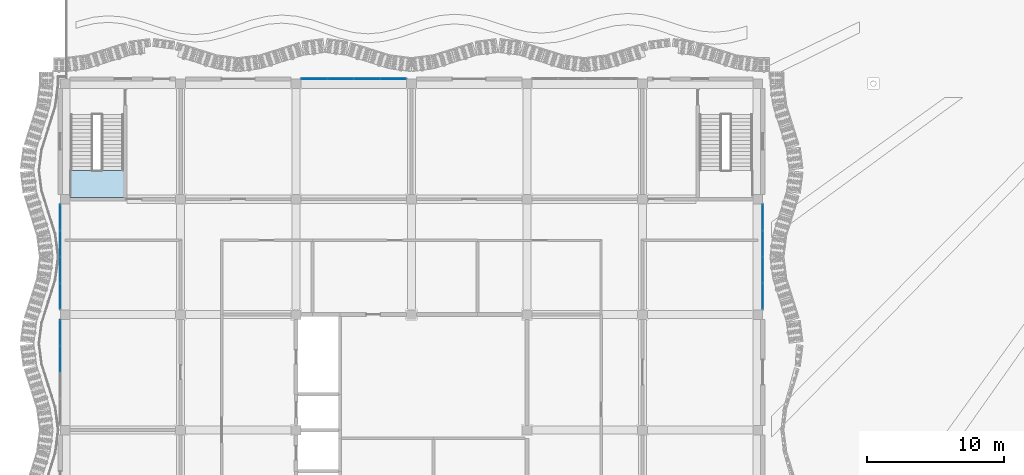
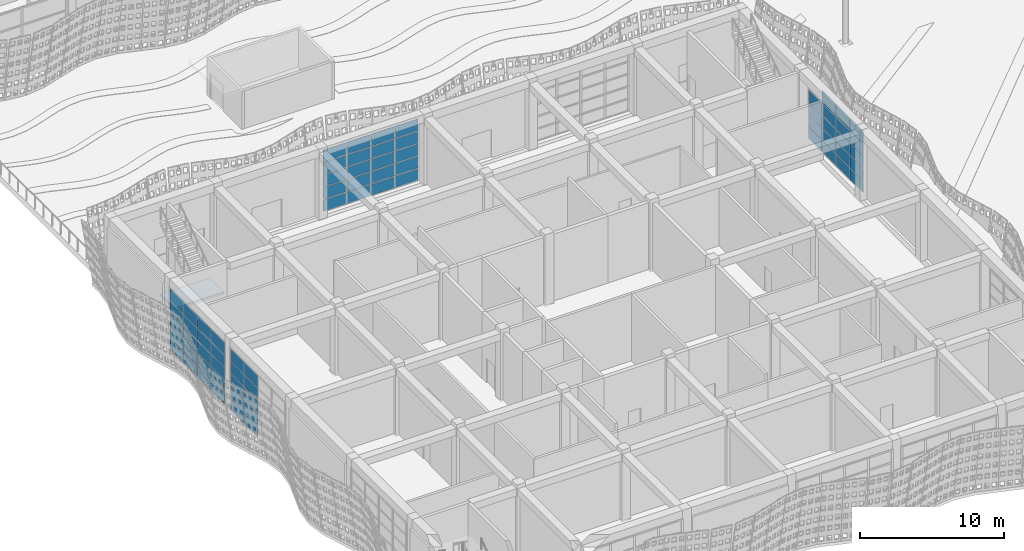
# One storey, part 79 of 210: 69 plates, 1 slab, 5 elements without a shape of their own.
"""IFC4 building model written with IfcOpenShell, lengths in metres."""

from ifc_helpers import new_model, si_unit, direction, frame, origin, origin_2d, place, context, subcontext, project, spatial, polyline, rectangle, outline, extrude, material, layer, layer_set, type_object, element, aggregate, save


model = new_model("IFC4")

# Units and contexts
model_context = context("Model", 3, precision=1e-05, world=origin(), true_north=direction((0.0, 1.0)))
body_context = subcontext(model_context, "Body", "Model", "MODEL_VIEW")
ifc_project = project(units=[si_unit("LENGTHUNIT", "METRE"), si_unit("AREAUNIT", "SQUARE_METRE"), si_unit("VOLUMEUNIT", "CUBIC_METRE"), si_unit("PLANEANGLEUNIT", "RADIAN"), si_unit("MASSUNIT", "GRAM", prefix="KILO")], contexts=[model_context])

# Site, building, storey
site_placement = place(None, origin())
site = spatial("IfcSite", under=ifc_project, at=site_placement, CompositionType="ELEMENT")
building_placement = place(site_placement, origin())
building = spatial("IfcBuilding", under=site, at=building_placement, Name="Rain Tree Exposition and Congress Centre", CompositionType="ELEMENT")
storey_placement = place(building_placement, origin())
storey = spatial("IfcBuildingStorey", under=building, at=storey_placement, Name="L00", CompositionType="ELEMENT", Elevation=0.0)

# Curtain wall, plates
ifc_material_1 = material(Name="Aluminium curtain wall", Category="aluminium")
curtain_wall_type = type_object("IfcCurtainWallType", Name="Wing curtain wall 1925", PredefinedType="NOTDEFINED", material=ifc_material_1)
curtain_wall_1_placement = place(storey_placement, origin())
curtain_wall_1 = element("IfcCurtainWall", 1, at=curtain_wall_1_placement, inside=storey, type_object=curtain_wall_type, Name="Curtain wall CWW104", PredefinedType="NOTDEFINED")
ifc_material_2 = material(Name="Double glazed unit", Category="glass")
ifc_layer_1 = layer(ifc_material_2, 0.028076171875)
ifc_layer_set_1 = layer_set([ifc_layer_1], Name="Double glazed unit")
plate_type = type_object("IfcPlateType", Name="Wing glazing panel 28", PredefinedType="CURTAIN_PANEL", material=ifc_layer_set_1)
plate_1_placement = place(storey_placement, frame((18.12744140625, 50.75, 0.06005859375), z_axis=(0.0, 0.0, 1.0), x_axis=(1.0, 0.0, 0.0)))
plate_1 = element("IfcPlate", 2, at=plate_1_placement, type_object=plate_type, Name="CWW104 panel 1.1", PredefinedType="CURTAIN_PANEL", context=body_context, shape_type="SweptSolid", body=[
    extrude(rectangle(XDim=1.8349609375, YDim=0.028076171875, at=origin_2d()), origin(), (0.0, 0.0, 1.0), 0.9599609375),
])
plate_2_placement = place(storey_placement, frame((18.12744140625, 50.75, 1.080078125), z_axis=(0.0, 0.0, 1.0), x_axis=(1.0, 0.0, 0.0)))
plate_2 = element("IfcPlate", 3, at=plate_2_placement, type_object=plate_type, Name="CWW104 panel 1.2", PredefinedType="CURTAIN_PANEL", context=body_context, shape_type="SweptSolid", body=[
    extrude(rectangle(XDim=1.8349609375, YDim=0.028076171875, at=origin_2d()), origin(), (0.0, 0.0, 1.0), 0.989990234375),
])
plate_3_placement = place(storey_placement, frame((18.12744140625, 50.75, 2.1298828125), z_axis=(0.0, 0.0, 1.0), x_axis=(1.0, 0.0, 0.0)))
plate_3 = element("IfcPlate", 4, at=plate_3_placement, type_object=plate_type, Name="CWW104 panel 1.3", PredefinedType="CURTAIN_PANEL", context=body_context, shape_type="SweptSolid", body=[
    extrude(rectangle(XDim=1.8349609375, YDim=0.028076171875, at=origin_2d()), origin(), (0.0, 0.0, 1.0), 0.989990234375),
])
plate_4_placement = place(storey_placement, frame((18.12744140625, 50.75, 3.18017578125), z_axis=(0.0, 0.0, 1.0), x_axis=(1.0, 0.0, 0.0)))
plate_4 = element("IfcPlate", 5, at=plate_4_placement, type_object=plate_type, Name="CWW104 panel 1.4", PredefinedType="CURTAIN_PANEL", context=body_context, shape_type="SweptSolid", body=[
    extrude(rectangle(XDim=1.8349609375, YDim=0.028076171875, at=origin_2d()), origin(), (0.0, 0.0, 1.0), 0.989990234375),
])
plate_5_placement = place(storey_placement, frame((18.12744140625, 50.75, 4.22998046875), z_axis=(0.0, 0.0, 1.0), x_axis=(1.0, 0.0, 0.0)))
plate_5 = element("IfcPlate", 6, at=plate_5_placement, type_object=plate_type, Name="CWW104 panel 1.5", PredefinedType="CURTAIN_PANEL", context=body_context, shape_type="SweptSolid", body=[
    extrude(rectangle(XDim=1.8349609375, YDim=0.028076171875, at=origin_2d()), origin(), (0.0, 0.0, 1.0), 1.010009765625),
])
plate_6_placement = place(storey_placement, frame((20.03759765625, 50.75, 0.06005859375), z_axis=(0.0, 0.0, 1.0), x_axis=(1.0, 0.0, 0.0)))
plate_6 = element("IfcPlate", 7, at=plate_6_placement, type_object=plate_type, Name="CWW104 panel 2.1", PredefinedType="CURTAIN_PANEL", context=body_context, shape_type="SweptSolid", body=[
    extrude(rectangle(XDim=1.864990234375, YDim=0.028076171875, at=origin_2d()), origin(), (0.0, 0.0, 1.0), 0.9599609375),
])
plate_7_placement = place(storey_placement, frame((20.03759765625, 50.75, 1.080078125), z_axis=(0.0, 0.0, 1.0), x_axis=(1.0, 0.0, 0.0)))
plate_7 = element("IfcPlate", 8, at=plate_7_placement, type_object=plate_type, Name="CWW104 panel 2.2", PredefinedType="CURTAIN_PANEL", context=body_context, shape_type="SweptSolid", body=[
    extrude(rectangle(XDim=1.864990234375, YDim=0.028076171875, at=origin_2d()), origin(), (0.0, 0.0, 1.0), 0.989990234375),
])
plate_8_placement = place(storey_placement, frame((20.03759765625, 50.75, 2.1298828125), z_axis=(0.0, 0.0, 1.0), x_axis=(1.0, 0.0, 0.0)))
plate_8 = element("IfcPlate", 9, at=plate_8_placement, type_object=plate_type, Name="CWW104 panel 2.3", PredefinedType="CURTAIN_PANEL", context=body_context, shape_type="SweptSolid", body=[
    extrude(rectangle(XDim=1.864990234375, YDim=0.028076171875, at=origin_2d()), origin(), (0.0, 0.0, 1.0), 0.989990234375),
])
plate_9_placement = place(storey_placement, frame((20.03759765625, 50.75, 3.18017578125), z_axis=(0.0, 0.0, 1.0), x_axis=(1.0, 0.0, 0.0)))
plate_9 = element("IfcPlate", 10, at=plate_9_placement, type_object=plate_type, Name="CWW104 panel 2.4", PredefinedType="CURTAIN_PANEL", context=body_context, shape_type="SweptSolid", body=[
    extrude(rectangle(XDim=1.864990234375, YDim=0.028076171875, at=origin_2d()), origin(), (0.0, 0.0, 1.0), 0.989990234375),
])
plate_10_placement = place(storey_placement, frame((20.03759765625, 50.75, 4.22998046875), z_axis=(0.0, 0.0, 1.0), x_axis=(1.0, 0.0, 0.0)))
plate_10 = element("IfcPlate", 11, at=plate_10_placement, type_object=plate_type, Name="CWW104 panel 2.5", PredefinedType="CURTAIN_PANEL", context=body_context, shape_type="SweptSolid", body=[
    extrude(rectangle(XDim=1.864990234375, YDim=0.028076171875, at=origin_2d()), origin(), (0.0, 0.0, 1.0), 1.010009765625),
])
plate_11_placement = place(storey_placement, frame((21.96240234375, 50.75, 0.06005859375), z_axis=(0.0, 0.0, 1.0), x_axis=(1.0, 0.0, 0.0)))
plate_11 = element("IfcPlate", 12, at=plate_11_placement, type_object=plate_type, Name="CWW104 panel 3.1", PredefinedType="CURTAIN_PANEL", context=body_context, shape_type="SweptSolid", body=[
    extrude(rectangle(XDim=1.864990234375, YDim=0.028076171875, at=origin_2d()), origin(), (0.0, 0.0, 1.0), 0.9599609375),
])
plate_12_placement = place(storey_placement, frame((21.96240234375, 50.75, 1.080078125), z_axis=(0.0, 0.0, 1.0), x_axis=(1.0, 0.0, 0.0)))
plate_12 = element("IfcPlate", 13, at=plate_12_placement, type_object=plate_type, Name="CWW104 panel 3.2", PredefinedType="CURTAIN_PANEL", context=body_context, shape_type="SweptSolid", body=[
    extrude(rectangle(XDim=1.864990234375, YDim=0.028076171875, at=origin_2d()), origin(), (0.0, 0.0, 1.0), 0.989990234375),
])
plate_13_placement = place(storey_placement, frame((21.96240234375, 50.75, 2.1298828125), z_axis=(0.0, 0.0, 1.0), x_axis=(1.0, 0.0, 0.0)))
plate_13 = element("IfcPlate", 14, at=plate_13_placement, type_object=plate_type, Name="CWW104 panel 3.3", PredefinedType="CURTAIN_PANEL", context=body_context, shape_type="SweptSolid", body=[
    extrude(rectangle(XDim=1.864990234375, YDim=0.028076171875, at=origin_2d()), origin(), (0.0, 0.0, 1.0), 0.989990234375),
])
plate_14_placement = place(storey_placement, frame((21.96240234375, 50.75, 3.18017578125), z_axis=(0.0, 0.0, 1.0), x_axis=(1.0, 0.0, 0.0)))
plate_14 = element("IfcPlate", 15, at=plate_14_placement, type_object=plate_type, Name="CWW104 panel 3.4", PredefinedType="CURTAIN_PANEL", context=body_context, shape_type="SweptSolid", body=[
    extrude(rectangle(XDim=1.864990234375, YDim=0.028076171875, at=origin_2d()), origin(), (0.0, 0.0, 1.0), 0.989990234375),
])
plate_15_placement = place(storey_placement, frame((21.96240234375, 50.75, 4.22998046875), z_axis=(0.0, 0.0, 1.0), x_axis=(1.0, 0.0, 0.0)))
plate_15 = element("IfcPlate", 16, at=plate_15_placement, type_object=plate_type, Name="CWW104 panel 3.5", PredefinedType="CURTAIN_PANEL", context=body_context, shape_type="SweptSolid", body=[
    extrude(rectangle(XDim=1.864990234375, YDim=0.028076171875, at=origin_2d()), origin(), (0.0, 0.0, 1.0), 1.010009765625),
])
plate_16_placement = place(storey_placement, frame((23.87255859375, 50.75, 0.06005859375), z_axis=(0.0, 0.0, 1.0), x_axis=(1.0, 0.0, 0.0)))
plate_16 = element("IfcPlate", 17, at=plate_16_placement, type_object=plate_type, Name="CWW104 panel 4.1", PredefinedType="CURTAIN_PANEL", context=body_context, shape_type="SweptSolid", body=[
    extrude(rectangle(XDim=1.8349609375, YDim=0.028076171875, at=origin_2d()), origin(), (0.0, 0.0, 1.0), 0.9599609375),
])
plate_17_placement = place(storey_placement, frame((23.87255859375, 50.75, 1.080078125), z_axis=(0.0, 0.0, 1.0), x_axis=(1.0, 0.0, 0.0)))
plate_17 = element("IfcPlate", 18, at=plate_17_placement, type_object=plate_type, Name="CWW104 panel 4.2", PredefinedType="CURTAIN_PANEL", context=body_context, shape_type="SweptSolid", body=[
    extrude(rectangle(XDim=1.8349609375, YDim=0.028076171875, at=origin_2d()), origin(), (0.0, 0.0, 1.0), 0.989990234375),
])
plate_18_placement = place(storey_placement, frame((23.87255859375, 50.75, 2.1298828125), z_axis=(0.0, 0.0, 1.0), x_axis=(1.0, 0.0, 0.0)))
plate_18 = element("IfcPlate", 19, at=plate_18_placement, type_object=plate_type, Name="CWW104 panel 4.3", PredefinedType="CURTAIN_PANEL", context=body_context, shape_type="SweptSolid", body=[
    extrude(rectangle(XDim=1.8349609375, YDim=0.028076171875, at=origin_2d()), origin(), (0.0, 0.0, 1.0), 0.989990234375),
])
plate_19_placement = place(storey_placement, frame((23.87255859375, 50.75, 3.18017578125), z_axis=(0.0, 0.0, 1.0), x_axis=(1.0, 0.0, 0.0)))
plate_19 = element("IfcPlate", 20, at=plate_19_placement, type_object=plate_type, Name="CWW104 panel 4.4", PredefinedType="CURTAIN_PANEL", context=body_context, shape_type="SweptSolid", body=[
    extrude(rectangle(XDim=1.8349609375, YDim=0.028076171875, at=origin_2d()), origin(), (0.0, 0.0, 1.0), 0.989990234375),
])
plate_20_placement = place(storey_placement, frame((23.87255859375, 50.75, 4.22998046875), z_axis=(0.0, 0.0, 1.0), x_axis=(1.0, 0.0, 0.0)))
plate_20 = element("IfcPlate", 21, at=plate_20_placement, type_object=plate_type, Name="CWW104 panel 4.5", PredefinedType="CURTAIN_PANEL", context=body_context, shape_type="SweptSolid", body=[
    extrude(rectangle(XDim=1.8349609375, YDim=0.028076171875, at=origin_2d()), origin(), (0.0, 0.0, 1.0), 1.010009765625),
])
aggregate(curtain_wall_1, [plate_1, plate_2, plate_3, plate_4, plate_5, plate_6, plate_7, plate_8, plate_9, plate_10, plate_11, plate_12, plate_13, plate_14, plate_15, plate_16, plate_17, plate_18, plate_19, plate_20])

curtain_wall_2_placement = place(storey_placement, origin())
curtain_wall_2 = element("IfcCurtainWall", 22, at=curtain_wall_2_placement, inside=storey, type_object=curtain_wall_type, Name="Curtain wall CWW107", PredefinedType="NOTDEFINED")
plate_21_placement = place(storey_placement, frame((-0.35009765625, 30.362548828125, 0.06005859375), z_axis=(0.0, 0.0, 1.0), x_axis=(0.0, 1.0, 0.0)))
plate_21 = element("IfcPlate", 23, at=plate_21_placement, type_object=plate_type, Name="CWW107 panel 3.1", PredefinedType="CURTAIN_PANEL", context=body_context, shape_type="SweptSolid", body=[
    extrude(rectangle(XDim=1.864990234375, YDim=0.028076171875, at=origin_2d()), origin(), (0.0, 0.0, 1.0), 0.9599609375),
])
plate_22_placement = place(storey_placement, frame((-0.35009765625, 30.362548828125, 1.080078125), z_axis=(0.0, 0.0, 1.0), x_axis=(0.0, 1.0, 0.0)))
plate_22 = element("IfcPlate", 24, at=plate_22_placement, type_object=plate_type, Name="CWW107 panel 3.2", PredefinedType="CURTAIN_PANEL", context=body_context, shape_type="SweptSolid", body=[
    extrude(rectangle(XDim=1.864990234375, YDim=0.028076171875, at=origin_2d()), origin(), (0.0, 0.0, 1.0), 0.989990234375),
])
plate_23_placement = place(storey_placement, frame((-0.35009765625, 30.362548828125, 2.1298828125), z_axis=(0.0, 0.0, 1.0), x_axis=(0.0, 1.0, 0.0)))
plate_23 = element("IfcPlate", 25, at=plate_23_placement, type_object=plate_type, Name="CWW107 panel 3.3", PredefinedType="CURTAIN_PANEL", context=body_context, shape_type="SweptSolid", body=[
    extrude(rectangle(XDim=1.864990234375, YDim=0.028076171875, at=origin_2d()), origin(), (0.0, 0.0, 1.0), 0.989990234375),
])
plate_24_placement = place(storey_placement, frame((-0.35009765625, 30.362548828125, 3.18017578125), z_axis=(0.0, 0.0, 1.0), x_axis=(0.0, 1.0, 0.0)))
plate_24 = element("IfcPlate", 26, at=plate_24_placement, type_object=plate_type, Name="CWW107 panel 3.4", PredefinedType="CURTAIN_PANEL", context=body_context, shape_type="SweptSolid", body=[
    extrude(rectangle(XDim=1.864990234375, YDim=0.028076171875, at=origin_2d()), origin(), (0.0, 0.0, 1.0), 0.989990234375),
])
plate_25_placement = place(storey_placement, frame((-0.35009765625, 30.362548828125, 4.22998046875), z_axis=(0.0, 0.0, 1.0), x_axis=(0.0, 1.0, 0.0)))
plate_25 = element("IfcPlate", 27, at=plate_25_placement, type_object=plate_type, Name="CWW107 panel 3.5", PredefinedType="CURTAIN_PANEL", context=body_context, shape_type="SweptSolid", body=[
    extrude(rectangle(XDim=1.864990234375, YDim=0.028076171875, at=origin_2d()), origin(), (0.0, 0.0, 1.0), 1.010009765625),
])
plate_26_placement = place(storey_placement, frame((-0.35009765625, 32.2724609375, 0.06005859375), z_axis=(0.0, 0.0, 1.0), x_axis=(0.0, 1.0, 0.0)))
plate_26 = element("IfcPlate", 28, at=plate_26_placement, type_object=plate_type, Name="CWW107 panel 4.1", PredefinedType="CURTAIN_PANEL", context=body_context, shape_type="SweptSolid", body=[
    extrude(rectangle(XDim=1.8349609375, YDim=0.028076171875, at=origin_2d()), origin(), (0.0, 0.0, 1.0), 0.9599609375),
])
plate_27_placement = place(storey_placement, frame((-0.35009765625, 32.2724609375, 1.080078125), z_axis=(0.0, 0.0, 1.0), x_axis=(0.0, 1.0, 0.0)))
plate_27 = element("IfcPlate", 29, at=plate_27_placement, type_object=plate_type, Name="CWW107 panel 4.2", PredefinedType="CURTAIN_PANEL", context=body_context, shape_type="SweptSolid", body=[
    extrude(rectangle(XDim=1.8349609375, YDim=0.028076171875, at=origin_2d()), origin(), (0.0, 0.0, 1.0), 0.989990234375),
])
plate_28_placement = place(storey_placement, frame((-0.35009765625, 32.2724609375, 2.1298828125), z_axis=(0.0, 0.0, 1.0), x_axis=(0.0, 1.0, 0.0)))
plate_28 = element("IfcPlate", 30, at=plate_28_placement, type_object=plate_type, Name="CWW107 panel 4.3", PredefinedType="CURTAIN_PANEL", context=body_context, shape_type="SweptSolid", body=[
    extrude(rectangle(XDim=1.8349609375, YDim=0.028076171875, at=origin_2d()), origin(), (0.0, 0.0, 1.0), 0.989990234375),
])
plate_29_placement = place(storey_placement, frame((-0.35009765625, 32.2724609375, 3.18017578125), z_axis=(0.0, 0.0, 1.0), x_axis=(0.0, 1.0, 0.0)))
plate_29 = element("IfcPlate", 31, at=plate_29_placement, type_object=plate_type, Name="CWW107 panel 4.4", PredefinedType="CURTAIN_PANEL", context=body_context, shape_type="SweptSolid", body=[
    extrude(rectangle(XDim=1.8349609375, YDim=0.028076171875, at=origin_2d()), origin(), (0.0, 0.0, 1.0), 0.989990234375),
])
plate_30_placement = place(storey_placement, frame((-0.35009765625, 32.2724609375, 4.22998046875), z_axis=(0.0, 0.0, 1.0), x_axis=(0.0, 1.0, 0.0)))
plate_30 = element("IfcPlate", 32, at=plate_30_placement, type_object=plate_type, Name="CWW107 panel 4.5", PredefinedType="CURTAIN_PANEL", context=body_context, shape_type="SweptSolid", body=[
    extrude(rectangle(XDim=1.8349609375, YDim=0.028076171875, at=origin_2d()), origin(), (0.0, 0.0, 1.0), 1.010009765625),
])
aggregate(curtain_wall_2, [plate_21, plate_22, plate_23, plate_24, plate_25, plate_26, plate_27, plate_28, plate_29, plate_30])

curtain_wall_3_placement = place(storey_placement, origin())
curtain_wall_3 = element("IfcCurtainWall", 33, at=curtain_wall_3_placement, inside=storey, type_object=curtain_wall_type, Name="Curtain wall CWW108", PredefinedType="NOTDEFINED")
plate_31_placement = place(storey_placement, frame((-0.35009765625, 34.927490234375, 0.06005859375), z_axis=(0.0, 0.0, 1.0), x_axis=(0.0, 1.0, 0.0)))
plate_31 = element("IfcPlate", 34, at=plate_31_placement, type_object=plate_type, Name="CWW108 panel 1.1", PredefinedType="CURTAIN_PANEL", context=body_context, shape_type="SweptSolid", body=[
    extrude(rectangle(XDim=1.8349609375, YDim=0.028076171875, at=origin_2d()), origin(), (0.0, 0.0, 1.0), 0.9599609375),
])
plate_32_placement = place(storey_placement, frame((-0.35009765625, 34.927490234375, 1.080078125), z_axis=(0.0, 0.0, 1.0), x_axis=(0.0, 1.0, 0.0)))
plate_32 = element("IfcPlate", 35, at=plate_32_placement, type_object=plate_type, Name="CWW108 panel 1.2", PredefinedType="CURTAIN_PANEL", context=body_context, shape_type="SweptSolid", body=[
    extrude(rectangle(XDim=1.8349609375, YDim=0.028076171875, at=origin_2d()), origin(), (0.0, 0.0, 1.0), 0.989990234375),
])
plate_33_placement = place(storey_placement, frame((-0.35009765625, 34.927490234375, 2.1298828125), z_axis=(0.0, 0.0, 1.0), x_axis=(0.0, 1.0, 0.0)))
plate_33 = element("IfcPlate", 36, at=plate_33_placement, type_object=plate_type, Name="CWW108 panel 1.3", PredefinedType="CURTAIN_PANEL", context=body_context, shape_type="SweptSolid", body=[
    extrude(rectangle(XDim=1.8349609375, YDim=0.028076171875, at=origin_2d()), origin(), (0.0, 0.0, 1.0), 0.989990234375),
])
plate_34_placement = place(storey_placement, frame((-0.35009765625, 34.927490234375, 3.18017578125), z_axis=(0.0, 0.0, 1.0), x_axis=(0.0, 1.0, 0.0)))
plate_34 = element("IfcPlate", 37, at=plate_34_placement, type_object=plate_type, Name="CWW108 panel 1.4", PredefinedType="CURTAIN_PANEL", context=body_context, shape_type="SweptSolid", body=[
    extrude(rectangle(XDim=1.8349609375, YDim=0.028076171875, at=origin_2d()), origin(), (0.0, 0.0, 1.0), 0.989990234375),
])
plate_35_placement = place(storey_placement, frame((-0.35009765625, 34.927490234375, 4.22998046875), z_axis=(0.0, 0.0, 1.0), x_axis=(0.0, 1.0, 0.0)))
plate_35 = element("IfcPlate", 38, at=plate_35_placement, type_object=plate_type, Name="CWW108 panel 1.5", PredefinedType="CURTAIN_PANEL", context=body_context, shape_type="SweptSolid", body=[
    extrude(rectangle(XDim=1.8349609375, YDim=0.028076171875, at=origin_2d()), origin(), (0.0, 0.0, 1.0), 1.010009765625),
])
plate_36_placement = place(storey_placement, frame((-0.35009765625, 36.83740234375, 0.06005859375), z_axis=(0.0, 0.0, 1.0), x_axis=(0.0, 1.0, 0.0)))
plate_36 = element("IfcPlate", 39, at=plate_36_placement, type_object=plate_type, Name="CWW108 panel 2.1", PredefinedType="CURTAIN_PANEL", context=body_context, shape_type="SweptSolid", body=[
    extrude(rectangle(XDim=1.864990234375, YDim=0.028076171875, at=origin_2d()), origin(), (0.0, 0.0, 1.0), 0.9599609375),
])
plate_37_placement = place(storey_placement, frame((-0.35009765625, 36.83740234375, 1.080078125), z_axis=(0.0, 0.0, 1.0), x_axis=(0.0, 1.0, 0.0)))
plate_37 = element("IfcPlate", 40, at=plate_37_placement, type_object=plate_type, Name="CWW108 panel 2.2", PredefinedType="CURTAIN_PANEL", context=body_context, shape_type="SweptSolid", body=[
    extrude(rectangle(XDim=1.864990234375, YDim=0.028076171875, at=origin_2d()), origin(), (0.0, 0.0, 1.0), 0.989990234375),
])
plate_38_placement = place(storey_placement, frame((-0.35009765625, 36.83740234375, 2.1298828125), z_axis=(0.0, 0.0, 1.0), x_axis=(0.0, 1.0, 0.0)))
plate_38 = element("IfcPlate", 41, at=plate_38_placement, type_object=plate_type, Name="CWW108 panel 2.3", PredefinedType="CURTAIN_PANEL", context=body_context, shape_type="SweptSolid", body=[
    extrude(rectangle(XDim=1.864990234375, YDim=0.028076171875, at=origin_2d()), origin(), (0.0, 0.0, 1.0), 0.989990234375),
])
plate_39_placement = place(storey_placement, frame((-0.35009765625, 36.83740234375, 3.18017578125), z_axis=(0.0, 0.0, 1.0), x_axis=(0.0, 1.0, 0.0)))
plate_39 = element("IfcPlate", 42, at=plate_39_placement, type_object=plate_type, Name="CWW108 panel 2.4", PredefinedType="CURTAIN_PANEL", context=body_context, shape_type="SweptSolid", body=[
    extrude(rectangle(XDim=1.864990234375, YDim=0.028076171875, at=origin_2d()), origin(), (0.0, 0.0, 1.0), 0.989990234375),
])
plate_40_placement = place(storey_placement, frame((-0.35009765625, 36.83740234375, 4.22998046875), z_axis=(0.0, 0.0, 1.0), x_axis=(0.0, 1.0, 0.0)))
plate_40 = element("IfcPlate", 43, at=plate_40_placement, type_object=plate_type, Name="CWW108 panel 2.5", PredefinedType="CURTAIN_PANEL", context=body_context, shape_type="SweptSolid", body=[
    extrude(rectangle(XDim=1.864990234375, YDim=0.028076171875, at=origin_2d()), origin(), (0.0, 0.0, 1.0), 1.010009765625),
])
plate_41_placement = place(storey_placement, frame((-0.35009765625, 38.762451171875, 0.06005859375), z_axis=(0.0, 0.0, 1.0), x_axis=(0.0, 1.0, 0.0)))
plate_41 = element("IfcPlate", 44, at=plate_41_placement, type_object=plate_type, Name="CWW108 panel 3.1", PredefinedType="CURTAIN_PANEL", context=body_context, shape_type="SweptSolid", body=[
    extrude(rectangle(XDim=1.864990234375, YDim=0.028076171875, at=origin_2d()), origin(), (0.0, 0.0, 1.0), 0.9599609375),
])
plate_42_placement = place(storey_placement, frame((-0.35009765625, 38.762451171875, 1.080078125), z_axis=(0.0, 0.0, 1.0), x_axis=(0.0, 1.0, 0.0)))
plate_42 = element("IfcPlate", 45, at=plate_42_placement, type_object=plate_type, Name="CWW108 panel 3.2", PredefinedType="CURTAIN_PANEL", context=body_context, shape_type="SweptSolid", body=[
    extrude(rectangle(XDim=1.864990234375, YDim=0.028076171875, at=origin_2d()), origin(), (0.0, 0.0, 1.0), 0.989990234375),
])
plate_43_placement = place(storey_placement, frame((-0.35009765625, 38.762451171875, 2.1298828125), z_axis=(0.0, 0.0, 1.0), x_axis=(0.0, 1.0, 0.0)))
plate_43 = element("IfcPlate", 46, at=plate_43_placement, type_object=plate_type, Name="CWW108 panel 3.3", PredefinedType="CURTAIN_PANEL", context=body_context, shape_type="SweptSolid", body=[
    extrude(rectangle(XDim=1.864990234375, YDim=0.028076171875, at=origin_2d()), origin(), (0.0, 0.0, 1.0), 0.989990234375),
])
plate_44_placement = place(storey_placement, frame((-0.35009765625, 38.762451171875, 3.18017578125), z_axis=(0.0, 0.0, 1.0), x_axis=(0.0, 1.0, 0.0)))
plate_44 = element("IfcPlate", 47, at=plate_44_placement, type_object=plate_type, Name="CWW108 panel 3.4", PredefinedType="CURTAIN_PANEL", context=body_context, shape_type="SweptSolid", body=[
    extrude(rectangle(XDim=1.864990234375, YDim=0.028076171875, at=origin_2d()), origin(), (0.0, 0.0, 1.0), 0.989990234375),
])
plate_45_placement = place(storey_placement, frame((-0.35009765625, 38.762451171875, 4.22998046875), z_axis=(0.0, 0.0, 1.0), x_axis=(0.0, 1.0, 0.0)))
plate_45 = element("IfcPlate", 48, at=plate_45_placement, type_object=plate_type, Name="CWW108 panel 3.5", PredefinedType="CURTAIN_PANEL", context=body_context, shape_type="SweptSolid", body=[
    extrude(rectangle(XDim=1.864990234375, YDim=0.028076171875, at=origin_2d()), origin(), (0.0, 0.0, 1.0), 1.010009765625),
])
plate_46_placement = place(storey_placement, frame((-0.35009765625, 40.672607421875, 0.06005859375), z_axis=(0.0, 0.0, 1.0), x_axis=(0.0, 1.0, 0.0)))
plate_46 = element("IfcPlate", 49, at=plate_46_placement, type_object=plate_type, Name="CWW108 panel 4.1", PredefinedType="CURTAIN_PANEL", context=body_context, shape_type="SweptSolid", body=[
    extrude(rectangle(XDim=1.8349609375, YDim=0.028076171875, at=origin_2d()), origin(), (0.0, 0.0, 1.0), 0.9599609375),
])
plate_47_placement = place(storey_placement, frame((-0.35009765625, 40.672607421875, 1.080078125), z_axis=(0.0, 0.0, 1.0), x_axis=(0.0, 1.0, 0.0)))
plate_47 = element("IfcPlate", 50, at=plate_47_placement, type_object=plate_type, Name="CWW108 panel 4.2", PredefinedType="CURTAIN_PANEL", context=body_context, shape_type="SweptSolid", body=[
    extrude(rectangle(XDim=1.8349609375, YDim=0.028076171875, at=origin_2d()), origin(), (0.0, 0.0, 1.0), 0.989990234375),
])
plate_48_placement = place(storey_placement, frame((-0.35009765625, 40.672607421875, 2.1298828125), z_axis=(0.0, 0.0, 1.0), x_axis=(0.0, 1.0, 0.0)))
plate_48 = element("IfcPlate", 51, at=plate_48_placement, type_object=plate_type, Name="CWW108 panel 4.3", PredefinedType="CURTAIN_PANEL", context=body_context, shape_type="SweptSolid", body=[
    extrude(rectangle(XDim=1.8349609375, YDim=0.028076171875, at=origin_2d()), origin(), (0.0, 0.0, 1.0), 0.989990234375),
])
plate_49_placement = place(storey_placement, frame((-0.35009765625, 40.672607421875, 3.18017578125), z_axis=(0.0, 0.0, 1.0), x_axis=(0.0, 1.0, 0.0)))
plate_49 = element("IfcPlate", 52, at=plate_49_placement, type_object=plate_type, Name="CWW108 panel 4.4", PredefinedType="CURTAIN_PANEL", context=body_context, shape_type="SweptSolid", body=[
    extrude(rectangle(XDim=1.8349609375, YDim=0.028076171875, at=origin_2d()), origin(), (0.0, 0.0, 1.0), 0.989990234375),
])
plate_50_placement = place(storey_placement, frame((-0.35009765625, 40.672607421875, 4.22998046875), z_axis=(0.0, 0.0, 1.0), x_axis=(0.0, 1.0, 0.0)))
plate_50 = element("IfcPlate", 53, at=plate_50_placement, type_object=plate_type, Name="CWW108 panel 4.5", PredefinedType="CURTAIN_PANEL", context=body_context, shape_type="SweptSolid", body=[
    extrude(rectangle(XDim=1.8349609375, YDim=0.028076171875, at=origin_2d()), origin(), (0.0, 0.0, 1.0), 1.010009765625),
])
aggregate(curtain_wall_3, [plate_31, plate_32, plate_33, plate_34, plate_35, plate_36, plate_37, plate_38, plate_39, plate_40, plate_41, plate_42, plate_43, plate_44, plate_45, plate_46, plate_47, plate_48, plate_49, plate_50])

curtain_wall_4_placement = place(storey_placement, origin())
curtain_wall_4 = element("IfcCurtainWall", 54, at=curtain_wall_4_placement, inside=storey, type_object=curtain_wall_type, Name="Curtain wall CWW110", PredefinedType="NOTDEFINED")
plate_51_placement = place(storey_placement, frame((50.75, 34.927490234375, 0.06005859375), z_axis=(0.0, 0.0, 1.0), x_axis=(0.0, 1.0, 0.0)))
plate_51 = element("IfcPlate", 55, at=plate_51_placement, type_object=plate_type, Name="CWW110 panel 1.1", PredefinedType="CURTAIN_PANEL", context=body_context, shape_type="SweptSolid", body=[
    extrude(rectangle(XDim=1.8349609375, YDim=0.028076171875, at=origin_2d()), origin(), (0.0, 0.0, 1.0), 0.9599609375),
])
plate_52_placement = place(storey_placement, frame((50.75, 34.927490234375, 1.080078125), z_axis=(0.0, 0.0, 1.0), x_axis=(0.0, 1.0, 0.0)))
plate_52 = element("IfcPlate", 56, at=plate_52_placement, type_object=plate_type, Name="CWW110 panel 1.2", PredefinedType="CURTAIN_PANEL", context=body_context, shape_type="SweptSolid", body=[
    extrude(rectangle(XDim=1.8349609375, YDim=0.028076171875, at=origin_2d()), origin(), (0.0, 0.0, 1.0), 0.989990234375),
])
plate_53_placement = place(storey_placement, frame((50.75, 34.927490234375, 2.1298828125), z_axis=(0.0, 0.0, 1.0), x_axis=(0.0, 1.0, 0.0)))
plate_53 = element("IfcPlate", 57, at=plate_53_placement, type_object=plate_type, Name="CWW110 panel 1.3", PredefinedType="CURTAIN_PANEL", context=body_context, shape_type="SweptSolid", body=[
    extrude(rectangle(XDim=1.8349609375, YDim=0.028076171875, at=origin_2d()), origin(), (0.0, 0.0, 1.0), 0.989990234375),
])
plate_54_placement = place(storey_placement, frame((50.75, 34.927490234375, 3.18017578125), z_axis=(0.0, 0.0, 1.0), x_axis=(0.0, 1.0, 0.0)))
plate_54 = element("IfcPlate", 58, at=plate_54_placement, type_object=plate_type, Name="CWW110 panel 1.4", PredefinedType="CURTAIN_PANEL", context=body_context, shape_type="SweptSolid", body=[
    extrude(rectangle(XDim=1.8349609375, YDim=0.028076171875, at=origin_2d()), origin(), (0.0, 0.0, 1.0), 0.989990234375),
])
plate_55_placement = place(storey_placement, frame((50.75, 34.927490234375, 4.22998046875), z_axis=(0.0, 0.0, 1.0), x_axis=(0.0, 1.0, 0.0)))
plate_55 = element("IfcPlate", 59, at=plate_55_placement, type_object=plate_type, Name="CWW110 panel 1.5", PredefinedType="CURTAIN_PANEL", context=body_context, shape_type="SweptSolid", body=[
    extrude(rectangle(XDim=1.8349609375, YDim=0.028076171875, at=origin_2d()), origin(), (0.0, 0.0, 1.0), 1.010009765625),
])
plate_56_placement = place(storey_placement, frame((50.75, 36.83740234375, 0.06005859375), z_axis=(0.0, 0.0, 1.0), x_axis=(0.0, 1.0, 0.0)))
plate_56 = element("IfcPlate", 60, at=plate_56_placement, type_object=plate_type, Name="CWW110 panel 2.1", PredefinedType="CURTAIN_PANEL", context=body_context, shape_type="SweptSolid", body=[
    extrude(rectangle(XDim=1.864990234375, YDim=0.028076171875, at=origin_2d()), origin(), (0.0, 0.0, 1.0), 0.9599609375),
])
plate_57_placement = place(storey_placement, frame((50.75, 36.83740234375, 1.080078125), z_axis=(0.0, 0.0, 1.0), x_axis=(0.0, 1.0, 0.0)))
plate_57 = element("IfcPlate", 61, at=plate_57_placement, type_object=plate_type, Name="CWW110 panel 2.2", PredefinedType="CURTAIN_PANEL", context=body_context, shape_type="SweptSolid", body=[
    extrude(rectangle(XDim=1.864990234375, YDim=0.028076171875, at=origin_2d()), origin(), (0.0, 0.0, 1.0), 0.989990234375),
])
plate_58_placement = place(storey_placement, frame((50.75, 36.83740234375, 2.1298828125), z_axis=(0.0, 0.0, 1.0), x_axis=(0.0, 1.0, 0.0)))
plate_58 = element("IfcPlate", 62, at=plate_58_placement, type_object=plate_type, Name="CWW110 panel 2.3", PredefinedType="CURTAIN_PANEL", context=body_context, shape_type="SweptSolid", body=[
    extrude(rectangle(XDim=1.864990234375, YDim=0.028076171875, at=origin_2d()), origin(), (0.0, 0.0, 1.0), 0.989990234375),
])
plate_59_placement = place(storey_placement, frame((50.75, 36.83740234375, 3.18017578125), z_axis=(0.0, 0.0, 1.0), x_axis=(0.0, 1.0, 0.0)))
plate_59 = element("IfcPlate", 63, at=plate_59_placement, type_object=plate_type, Name="CWW110 panel 2.4", PredefinedType="CURTAIN_PANEL", context=body_context, shape_type="SweptSolid", body=[
    extrude(rectangle(XDim=1.864990234375, YDim=0.028076171875, at=origin_2d()), origin(), (0.0, 0.0, 1.0), 0.989990234375),
])
plate_60_placement = place(storey_placement, frame((50.75, 36.83740234375, 4.22998046875), z_axis=(0.0, 0.0, 1.0), x_axis=(0.0, 1.0, 0.0)))
plate_60 = element("IfcPlate", 64, at=plate_60_placement, type_object=plate_type, Name="CWW110 panel 2.5", PredefinedType="CURTAIN_PANEL", context=body_context, shape_type="SweptSolid", body=[
    extrude(rectangle(XDim=1.864990234375, YDim=0.028076171875, at=origin_2d()), origin(), (0.0, 0.0, 1.0), 1.010009765625),
])
plate_61_placement = place(storey_placement, frame((50.75, 38.762451171875, 0.06005859375), z_axis=(0.0, 0.0, 1.0), x_axis=(0.0, 1.0, 0.0)))
plate_61 = element("IfcPlate", 65, at=plate_61_placement, type_object=plate_type, Name="CWW110 panel 3.1", PredefinedType="CURTAIN_PANEL", context=body_context, shape_type="SweptSolid", body=[
    extrude(rectangle(XDim=1.864990234375, YDim=0.028076171875, at=origin_2d()), origin(), (0.0, 0.0, 1.0), 0.9599609375),
])
plate_62_placement = place(storey_placement, frame((50.75, 38.762451171875, 1.080078125), z_axis=(0.0, 0.0, 1.0), x_axis=(0.0, 1.0, 0.0)))
plate_62 = element("IfcPlate", 66, at=plate_62_placement, type_object=plate_type, Name="CWW110 panel 3.2", PredefinedType="CURTAIN_PANEL", context=body_context, shape_type="SweptSolid", body=[
    extrude(rectangle(XDim=1.864990234375, YDim=0.028076171875, at=origin_2d()), origin(), (0.0, 0.0, 1.0), 0.989990234375),
])
plate_63_placement = place(storey_placement, frame((50.75, 38.762451171875, 2.1298828125), z_axis=(0.0, 0.0, 1.0), x_axis=(0.0, 1.0, 0.0)))
plate_63 = element("IfcPlate", 67, at=plate_63_placement, type_object=plate_type, Name="CWW110 panel 3.3", PredefinedType="CURTAIN_PANEL", context=body_context, shape_type="SweptSolid", body=[
    extrude(rectangle(XDim=1.864990234375, YDim=0.028076171875, at=origin_2d()), origin(), (0.0, 0.0, 1.0), 0.989990234375),
])
plate_64_placement = place(storey_placement, frame((50.75, 38.762451171875, 3.18017578125), z_axis=(0.0, 0.0, 1.0), x_axis=(0.0, 1.0, 0.0)))
plate_64 = element("IfcPlate", 68, at=plate_64_placement, type_object=plate_type, Name="CWW110 panel 3.4", PredefinedType="CURTAIN_PANEL", context=body_context, shape_type="SweptSolid", body=[
    extrude(rectangle(XDim=1.864990234375, YDim=0.028076171875, at=origin_2d()), origin(), (0.0, 0.0, 1.0), 0.989990234375),
])
plate_65_placement = place(storey_placement, frame((50.75, 38.762451171875, 4.22998046875), z_axis=(0.0, 0.0, 1.0), x_axis=(0.0, 1.0, 0.0)))
plate_65 = element("IfcPlate", 69, at=plate_65_placement, type_object=plate_type, Name="CWW110 panel 3.5", PredefinedType="CURTAIN_PANEL", context=body_context, shape_type="SweptSolid", body=[
    extrude(rectangle(XDim=1.864990234375, YDim=0.028076171875, at=origin_2d()), origin(), (0.0, 0.0, 1.0), 1.010009765625),
])
plate_66_placement = place(storey_placement, frame((50.75, 40.672607421875, 0.06005859375), z_axis=(0.0, 0.0, 1.0), x_axis=(0.0, 1.0, 0.0)))
plate_66 = element("IfcPlate", 70, at=plate_66_placement, type_object=plate_type, Name="CWW110 panel 4.1", PredefinedType="CURTAIN_PANEL", context=body_context, shape_type="SweptSolid", body=[
    extrude(rectangle(XDim=1.8349609375, YDim=0.028076171875, at=origin_2d()), origin(), (0.0, 0.0, 1.0), 0.9599609375),
])
plate_67_placement = place(storey_placement, frame((50.75, 40.672607421875, 1.080078125), z_axis=(0.0, 0.0, 1.0), x_axis=(0.0, 1.0, 0.0)))
plate_67 = element("IfcPlate", 71, at=plate_67_placement, type_object=plate_type, Name="CWW110 panel 4.2", PredefinedType="CURTAIN_PANEL", context=body_context, shape_type="SweptSolid", body=[
    extrude(rectangle(XDim=1.8349609375, YDim=0.028076171875, at=origin_2d()), origin(), (0.0, 0.0, 1.0), 0.989990234375),
])
plate_68_placement = place(storey_placement, frame((50.75, 40.672607421875, 2.1298828125), z_axis=(0.0, 0.0, 1.0), x_axis=(0.0, 1.0, 0.0)))
plate_68 = element("IfcPlate", 72, at=plate_68_placement, type_object=plate_type, Name="CWW110 panel 4.3", PredefinedType="CURTAIN_PANEL", context=body_context, shape_type="SweptSolid", body=[
    extrude(rectangle(XDim=1.8349609375, YDim=0.028076171875, at=origin_2d()), origin(), (0.0, 0.0, 1.0), 0.989990234375),
])
plate_69_placement = place(storey_placement, frame((50.75, 40.672607421875, 3.18017578125), z_axis=(0.0, 0.0, 1.0), x_axis=(0.0, 1.0, 0.0)))
plate_69 = element("IfcPlate", 73, at=plate_69_placement, type_object=plate_type, Name="CWW110 panel 4.4", PredefinedType="CURTAIN_PANEL", context=body_context, shape_type="SweptSolid", body=[
    extrude(rectangle(XDim=1.8349609375, YDim=0.028076171875, at=origin_2d()), origin(), (0.0, 0.0, 1.0), 0.989990234375),
])
aggregate(curtain_wall_4, [plate_51, plate_52, plate_53, plate_54, plate_55, plate_56, plate_57, plate_58, plate_59, plate_60, plate_61, plate_62, plate_63, plate_64, plate_65, plate_66, plate_67, plate_68, plate_69])

# Stair, slab
ifc_material_3 = material(Name="Precast concrete C50/60", Category="concrete")
stair_type = type_object("IfcStairType", Name="Wing dog-leg stair 1600", PredefinedType="HALF_TURN_STAIR", material=ifc_material_3)
stair_placement = place(storey_placement, origin())
stair = element("IfcStair", 74, at=stair_placement, inside=storey, type_object=stair_type, Name="L00 ST-W3", PredefinedType="HALF_TURN_STAIR")
ifc_material_4 = material(Name="Precast concrete C50/60", Category="concrete")
ifc_layer_2 = layer(ifc_material_4, 0.199951171875)
ifc_layer_set_2 = layer_set([ifc_layer_2], Name="Precast concrete C50/60")
slab_type = type_object("IfcSlabType", Name="Wing stair landing 200", PredefinedType="LANDING", material=ifc_layer_set_2)
slab_placement = place(storey_placement, frame((0.0, 0.0, 2.800048828125)))
slab = element("IfcSlab", 75, at=slab_placement, type_object=slab_type, Name="ST-W3 landing 1", PredefinedType="LANDING", context=body_context, shape_type="SweptSolid", body=[
    extrude(outline(polyline([(4.27490234375, 44.10009765625), (4.27490234375, 42.1220703125), (0.346923828125, 42.1220703125), (0.346923828125, 44.10009765625), (4.27490234375, 44.10009765625)])), origin(), (0.0, 0.0, 1.0), 0.199951171875),
])
aggregate(stair, [slab])

save(model, "model.ifc")
